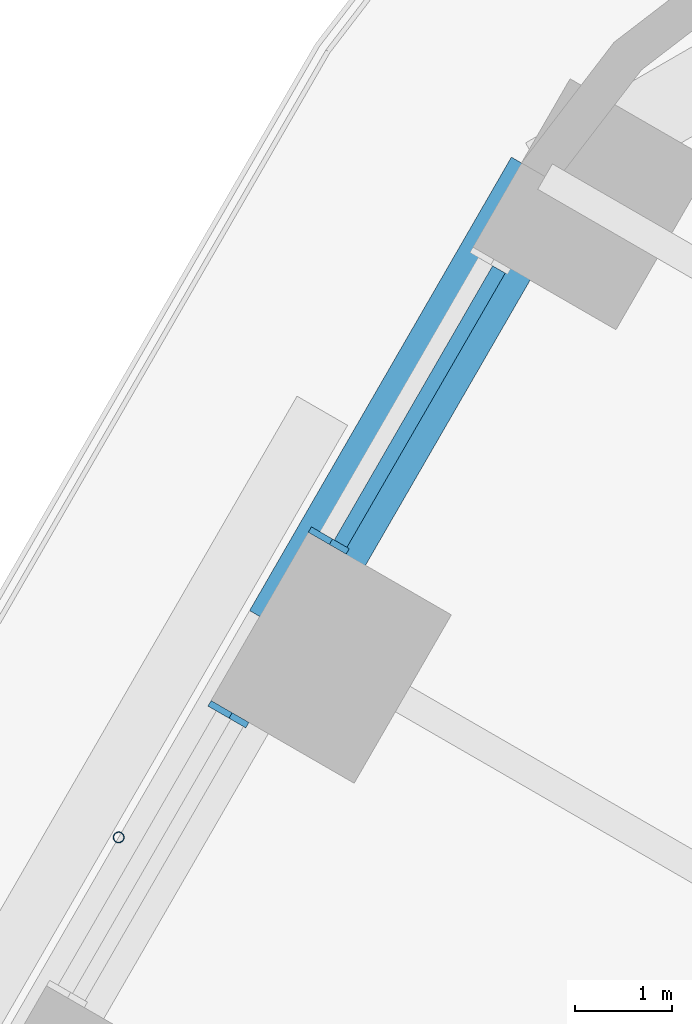
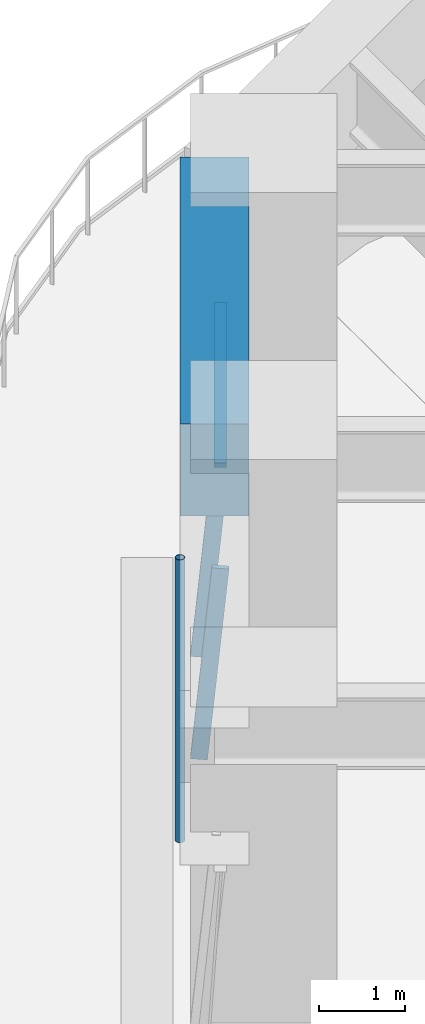
# One storey, part 9 of 24: 4 members, 1 beam, 2 elements without a shape of their own.
"""IFC4 building model written with IfcOpenShell, lengths in metres."""

from ifc_helpers import new_model, si_unit, direction, frame, origin, origin_2d, place, context, subcontext, project, spatial, rectangle, hollow_circle, extrude, material, material_profile, profile_set, type_object, element, aggregate, save


model = new_model("IFC4")

# Units and contexts
model_context = context("Model", 3, precision=1e-05, world=origin(), true_north=direction((0.0, 1.0)))
body_context = subcontext(model_context, "Body", "Model", "MODEL_VIEW")
ifc_project = project(units=[si_unit("LENGTHUNIT", "METRE"), si_unit("AREAUNIT", "SQUARE_METRE"), si_unit("VOLUMEUNIT", "CUBIC_METRE"), si_unit("PLANEANGLEUNIT", "RADIAN"), si_unit("MASSUNIT", "GRAM", prefix="KILO")], contexts=[model_context])

# Site, building, storey
site_placement = place(None, origin())
site = spatial("IfcSite", under=ifc_project, at=site_placement, CompositionType="ELEMENT")
building_placement = place(site_placement, origin())
building = spatial("IfcBuilding", under=site, at=building_placement, Name="Tarfa Lantern Tower", CompositionType="ELEMENT")
storey_placement = place(building_placement, frame((0.0, 0.0, 69.699951171875)))
storey = spatial("IfcBuildingStorey", under=building, at=storey_placement, Name="L15", CompositionType="ELEMENT", Elevation=69.699951171875)

# Curtain wall, member
ifc_material_1 = material(Name="Aluminium framed curtain wall", Category="aluminium")
curtain_wall_type = type_object("IfcCurtainWallType", Name="CW1 CANTED GLAZING LOW ZONE 2700", PredefinedType="USERDEFINED", material=ifc_material_1)
curtain_wall_1_placement = place(storey_placement, origin())
curtain_wall_1 = element("IfcCurtainWall", 1, at=curtain_wall_1_placement, inside=storey, type_object=curtain_wall_type, Name="CW1 NW L15", ObjectType="CURTAIN WALL", PredefinedType="USERDEFINED")
ifc_material_2 = material(Name="Aluminium mullion", Category="aluminium")
ifc_material_profile_1 = material_profile(ifc_material_2, rectangle(XDim=0.06494140625, YDim=0.199951171875, at=origin_2d()), Name="AL MULLION 65x200")
ifc_profile_set_1 = profile_set([ifc_material_profile_1], Name="Aluminium mullion")
member_type_1 = type_object("IfcMemberType", Name="CWM1 MULLION 65x200", PredefinedType="MULLION", material=ifc_profile_set_1)
member_1_placement = place(storey_placement, frame((-23.453369140625, 27.177490234375, 0.0), z_axis=(0.07986442134, -0.046099868913, 0.99573916077), x_axis=(0.499919672301, 0.866071776036, 0.0)))
member_1 = element("IfcMember", 2, at=member_1_placement, type_object=member_type_1, Name="CW1 mullion 2", PredefinedType="MULLION", context=body_context, shape_type="SweptSolid", body=[
    extrude(rectangle(XDim=0.06494140625, YDim=0.199951171875, at=origin_2d()), origin(), (0.0, 0.0, 1.0), 2.71142578125),
])

curtain_wall_2_placement = place(storey_placement, origin())
curtain_wall_2 = element("IfcCurtainWall", 3, at=curtain_wall_2_placement, inside=storey, type_object=curtain_wall_type, Name="CW1 NW L15", ObjectType="CURTAIN WALL", PredefinedType="USERDEFINED")
member_2_placement = place(storey_placement, frame((-24.48583984375, 25.38916015625, 0.0), z_axis=(0.07986442134, -0.046099868913, 0.99573916077), x_axis=(0.499919672301, 0.866071776036, 0.0)))
member_2 = element("IfcMember", 4, at=member_2_placement, type_object=member_type_1, Name="CW1 mullion 1", PredefinedType="MULLION", context=body_context, shape_type="SweptSolid", body=[
    extrude(rectangle(XDim=0.06494140625, YDim=0.199951171875, at=origin_2d()), origin(), (0.0, 0.0, 1.0), 2.71142578125),
])
aggregate(curtain_wall_2, [member_2])

# Member
ifc_material_3 = material(Name="Aluminium transom", Category="aluminium")
ifc_material_profile_2 = material_profile(ifc_material_3, rectangle(XDim=0.14990234375, YDim=0.06494140625, at=origin_2d()), Name="AL TRANSOM 150x65")
ifc_profile_set_2 = profile_set([ifc_material_profile_2], Name="Aluminium transom")
member_type_2 = type_object("IfcMemberType", Name="CWT1 TRANSOM 150x65", PredefinedType="USERDEFINED", material=ifc_profile_set_2)
member_3_placement = place(storey_placement, frame((-21.593994140625, 29.904296875, 2.66748046875), z_axis=(-0.499966746847, -0.86604460165, 0.0), x_axis=(0.86604460165, -0.499966746847, 0.0)))
member_3 = element("IfcMember", 5, at=member_3_placement, type_object=member_type_2, Name="CW1 transom 1.2", ObjectType="TRANSOM", PredefinedType="USERDEFINED", context=body_context, shape_type="SweptSolid", body=[
    extrude(rectangle(XDim=0.14990234375, YDim=0.06494140625, at=origin_2d()), origin(), (0.0, 0.0, 1.0), 3.258544921875),
])

aggregate(curtain_wall_1, [member_1, member_3])

# Beam
ifc_material_4 = material(Name="Concrete C80/95", Category="concrete")
ifc_material_profile_3 = material_profile(ifc_material_4, rectangle(XDim=0.800048828125, YDim=1.300048828125, at=origin_2d()), Name="RC 800x1300")
ifc_profile_set_3 = profile_set([ifc_material_profile_3], Name="Concrete C80/95")
beam_type = type_object("IfcBeamType", Name="EB1 RC 800x1300", PredefinedType="SPANDREL", material=ifc_profile_set_3)
beam_placement = place(storey_placement, frame((-21.119384765625, 30.860107421875, 3.35009765625), z_axis=(-0.499998287579, -0.866026392449, 0.0), x_axis=(0.866026392449, -0.499998287579, 0.0)))
element("IfcBeam", 6, at=beam_placement, inside=storey, type_object=beam_type, Name="Edge beam NW0", PredefinedType="SPANDREL", context=body_context, shape_type="SweptSolid", body=[
    extrude(rectangle(XDim=0.800048828125, YDim=1.300048828125, at=origin_2d()), origin(), (0.0, 0.0, 1.0), 5.388671875),
])

# Member
ifc_material_5 = material(Name="Steel S355", Category="steel")
ifc_material_profile_4 = material_profile(ifc_material_5, hollow_circle(Radius=0.05712890625, WallThickness=0.00634765625, at=origin_2d()), Name="CHS114.3x6.3")
ifc_profile_set_4 = profile_set([ifc_material_profile_4], Name="Steel S355")
member_type_3 = type_object("IfcMemberType", Name="TR1 GREEN WALL TRELLIS CHS114.3x6.3", PredefinedType="USERDEFINED", material=ifc_profile_set_4)
member_4_placement = place(storey_placement, frame((-25.50732421875, 24.06005859375, 0.0), z_axis=(0.0, 0.0, 1.0), x_axis=(1.0, 0.0, 0.0)))
element("IfcMember", 7, at=member_4_placement, inside=storey, type_object=member_type_3, Name="Trellis post NW 1", ObjectType="TRELLIS", PredefinedType="USERDEFINED", context=body_context, shape_type="SweptSolid", body=[
    extrude(hollow_circle(Radius=0.05712890625, WallThickness=0.00634765625, at=origin_2d()), origin(), (0.0, 0.0, 1.0), 4.0),
])

save(model, "model.ifc")
